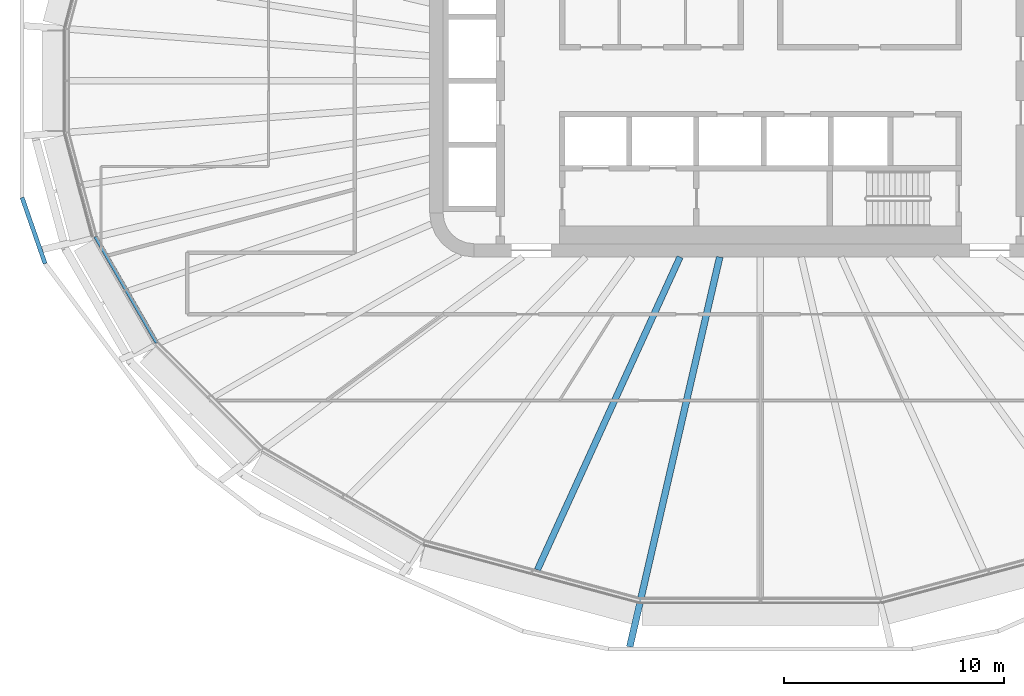
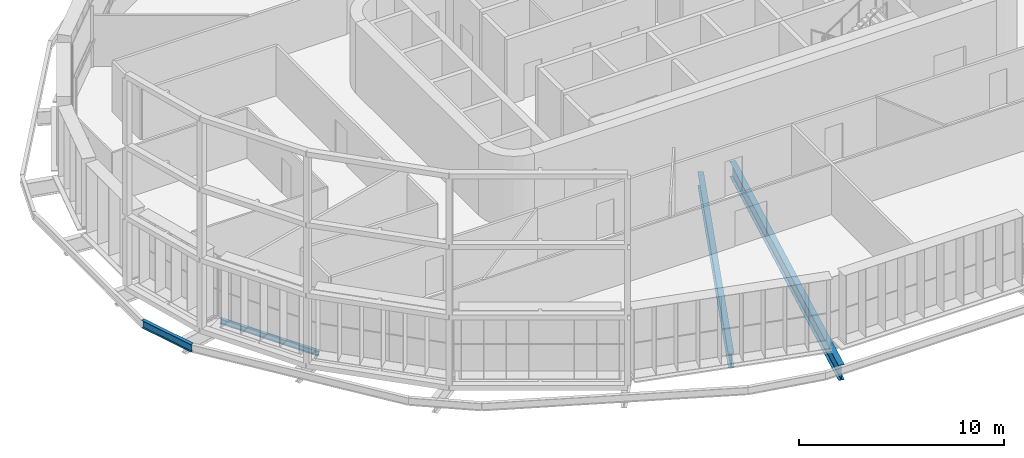
# One storey, part 2 of 25: 4 beams.
"""IFC4 building model written with IfcOpenShell, lengths in metres."""

from ifc_helpers import new_model, si_unit, direction, frame, origin, origin_2d, place, context, subcontext, project, spatial, i_section, extrude, material, material_profile, profile_set, type_object, element, save


model = new_model("IFC4")

# Units and contexts
model_context = context("Model", 3, precision=1e-05, world=origin(), true_north=direction((0.0, 1.0)))
body_context = subcontext(model_context, "Body", "Model", "MODEL_VIEW")
ifc_project = project(units=[si_unit("LENGTHUNIT", "METRE"), si_unit("AREAUNIT", "SQUARE_METRE"), si_unit("VOLUMEUNIT", "CUBIC_METRE"), si_unit("PLANEANGLEUNIT", "RADIAN"), si_unit("MASSUNIT", "GRAM", prefix="KILO")], contexts=[model_context])

# Site, building, storey
site_placement = place(None, origin())
site = spatial("IfcSite", under=ifc_project, at=site_placement, CompositionType="ELEMENT")
building_placement = place(site_placement, origin())
building = spatial("IfcBuilding", under=site, at=building_placement, Name="Sahrelin Media Tower", CompositionType="ELEMENT")
storey_placement = place(building_placement, frame((0.0, 0.0, 135.60009765625)))
storey = spatial("IfcBuildingStorey", under=building, at=storey_placement, Name="L27", CompositionType="ELEMENT", Elevation=135.60009765625)

# Beams
ifc_material = material(Name="Steel S355", Category="steel")
ifc_material_profile_1 = material_profile(ifc_material, i_section(OverallWidth=0.1650390625, OverallDepth=0.303466796875, WebThickness=0.006103515625, FlangeThickness=0.01025390625, FilletRadius=0.0087890625, at=origin_2d()), Name="UB 305x165x40")
ifc_profile_set_1 = profile_set([ifc_material_profile_1], Name="Steel S355")
beam_type_1 = type_object("IfcBeamType", Name="Edge beam EB2", PredefinedType="BEAM", material=ifc_profile_set_1)
beam_1_placement = place(storey_placement, frame((-27.382080078125, -11.880615234375, -0.3017578125), z_axis=(-0.500036242679, 0.866004478053, 0.0), x_axis=(-0.866004478053, -0.500036242679, 0.0)))
element("IfcBeam", 1, at=beam_1_placement, inside=storey, type_object=beam_type_1, Name="Edge beam L27-11", PredefinedType="BEAM", context=body_context, shape_type="SweptSolid", body=[
    extrude(i_section(OverallWidth=0.1650390625, OverallDepth=0.303466796875, WebThickness=0.006103515625, FlangeThickness=0.01025390625, FilletRadius=0.0087890625, at=origin_2d()), origin(), (0.0, 0.0, 1.0), 5.544921875),
])
ifc_material_profile_2 = material_profile(ifc_material, i_section(OverallWidth=0.30322265625, OverallDepth=0.903076171875, WebThickness=0.01513671875, FlangeThickness=0.020263671875, FilletRadius=0.01904296875, at=origin_2d()), Name="UB 914x305x201")
ifc_profile_set_2 = profile_set([ifc_material_profile_2], Name="Steel S355")
beam_type_2 = type_object("IfcBeamType", Name="Radial primary beam PB11", PredefinedType="BEAM", material=ifc_profile_set_2)
beam_2_placement = place(storey_placement, frame((-1.846435546875, -8.0, -0.6015625), z_axis=(-0.224889964266, -0.974384166524, 0.0), x_axis=(0.974384166524, -0.224889964266, 0.0)))
element("IfcBeam", 2, at=beam_2_placement, inside=storey, type_object=beam_type_2, Name="Radial beam L27-18", PredefinedType="BEAM", context=body_context, shape_type="SweptSolid", body=[
    extrude(i_section(OverallWidth=0.30322265625, OverallDepth=0.903076171875, WebThickness=0.01513671875, FlangeThickness=0.020263671875, FilletRadius=0.01904296875, at=origin_2d()), origin(), (0.0, 0.0, 1.0), 18.14794921875),
])
ifc_material_profile_3 = material_profile(ifc_material, i_section(OverallWidth=0.291748046875, OverallDepth=0.8349609375, WebThickness=0.013916015625, FlangeThickness=0.018798828125, FilletRadius=0.017822265625, at=origin_2d()), Name="UB 838x292x176")
ifc_profile_set_3 = profile_set([ifc_material_profile_3], Name="Steel S355")
beam_type_3 = type_object("IfcBeamType", Name="Radial secondary beam SB10", PredefinedType="BEAM", material=ifc_profile_set_3)
beam_3_placement = place(storey_placement, frame((-3.64697265625, -8.0, -0.567626953125), z_axis=(-0.414807797457, -0.909909056538, 0.0), x_axis=(0.909909056538, -0.414807797457, 0.0)))
element("IfcBeam", 3, at=beam_3_placement, inside=storey, type_object=beam_type_3, Name="Secondary beam L27-17", PredefinedType="BEAM", context=body_context, shape_type="SweptSolid", body=[
    extrude(i_section(OverallWidth=0.291748046875, OverallDepth=0.8349609375, WebThickness=0.013916015625, FlangeThickness=0.018798828125, FilletRadius=0.017822265625, at=origin_2d()), origin(), (0.0, 0.0, 1.0), 15.59228515625),
])
ifc_material_profile_4 = material_profile(ifc_material, i_section(OverallWidth=0.1904296875, OverallDepth=0.45703125, WebThickness=0.009033203125, FlangeThickness=0.014404296875, FilletRadius=0.01025390625, at=origin_2d()), Name="UB 457x191x74")
ifc_profile_set_4 = profile_set([ifc_material_profile_4], Name="Steel S355")
beam_type_4 = type_object("IfcBeamType", Name="Tie chord TC5", PredefinedType="BEAM", material=ifc_profile_set_4)
beam_4_placement = place(storey_placement, frame((-33.491455078125, -5.301513671875, -0.378662109375), z_axis=(0.328804141521, -0.944398134538, 0.0), x_axis=(0.944398134538, 0.328804141521, 0.0)))
element("IfcBeam", 4, at=beam_4_placement, inside=storey, type_object=beam_type_4, Name="Tie chord L27-13", PredefinedType="BEAM", context=body_context, shape_type="SweptSolid", body=[
    extrude(i_section(OverallWidth=0.1904296875, OverallDepth=0.45703125, WebThickness=0.009033203125, FlangeThickness=0.014404296875, FilletRadius=0.01025390625, at=origin_2d()), origin(), (0.0, 0.0, 1.0), 3.1728515625),
])

save(model, "model.ifc")
